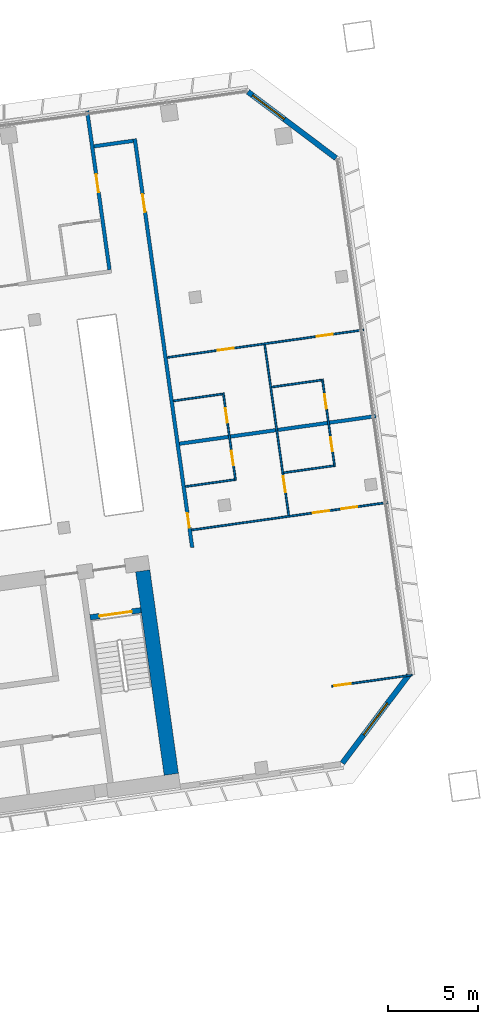
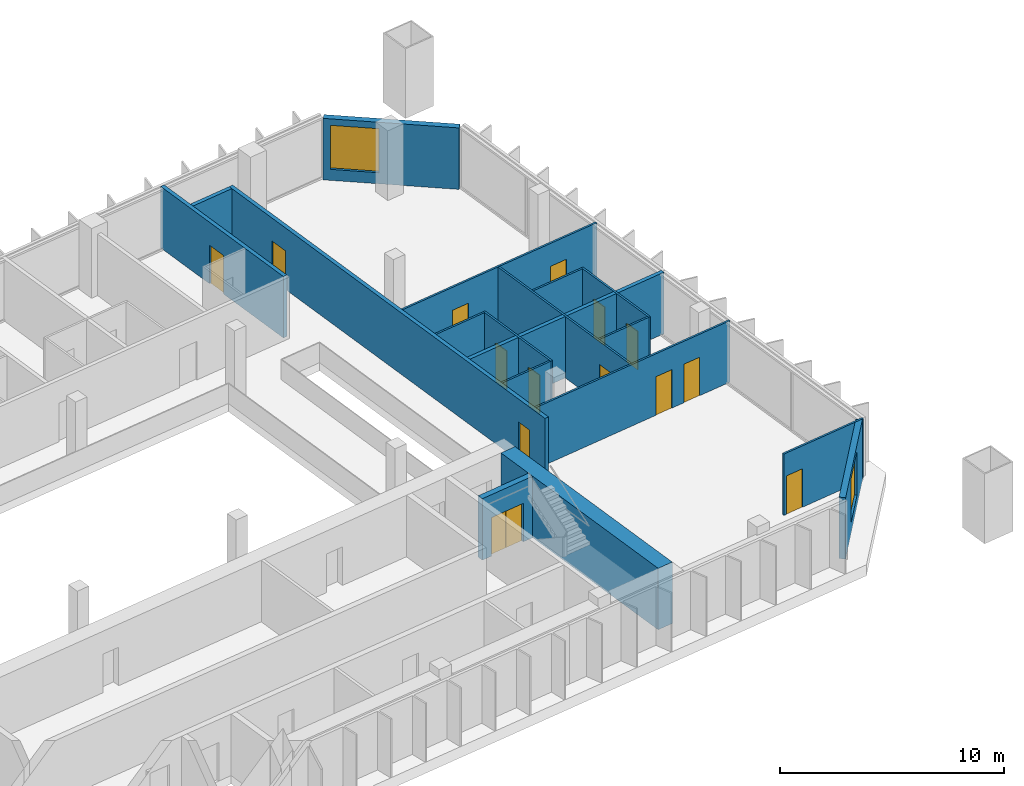
# One storey, part 22 of 26: 18 walls, 14 doors, 2 windows, 16 openings.
"""IFC4 building model written with IfcOpenShell, lengths in metres."""

from ifc_helpers import new_model, si_unit, direction, frame, frame_2d, origin, place, context, subcontext, project, spatial, rectangle, extrude, material, layer, layer_set, type_object, element, fill, save


model = new_model("IFC4")

# Units and contexts
model_context = context("Model", 3, precision=1e-05, world=origin(), true_north=direction((0.0, 1.0)))
body_context = subcontext(model_context, "Body", "Model", "MODEL_VIEW")
ifc_project = project(units=[si_unit("LENGTHUNIT", "METRE"), si_unit("AREAUNIT", "SQUARE_METRE"), si_unit("VOLUMEUNIT", "CUBIC_METRE"), si_unit("PLANEANGLEUNIT", "RADIAN"), si_unit("MASSUNIT", "GRAM", prefix="KILO")], contexts=[model_context])

# Site, building, storey
site_placement = place(None, origin())
site = spatial("IfcSite", under=ifc_project, at=site_placement, CompositionType="ELEMENT")
building_placement = place(site_placement, origin())
building = spatial("IfcBuilding", under=site, at=building_placement, Name="Mirante Cascada Hotel Towers", CompositionType="ELEMENT")
storey_placement = place(building_placement, frame((0.0, 0.0, 106.3)))
storey = spatial("IfcBuildingStorey", under=building, at=storey_placement, Name="L23", CompositionType="ELEMENT", Elevation=106.3)

# Walls
ifc_material_1 = material(Name="Fire-rated plasterboard on metal studs")
ifc_layer_1 = layer(ifc_material_1, 0.2)
ifc_layer_set_1 = layer_set([ifc_layer_1], Name="Compartment wall 200 EI 120")
wall_type_1 = type_object("IfcWallType", Name="Compartment wall 200 EI 120", PredefinedType="PARTITIONING", material=ifc_layer_set_1)
wall_1_placement = place(storey_placement, frame((101.2993, 8.0205, 0.0), z_axis=(0.0, 0.0, 1.0), x_axis=(-0.990268, -0.1391733, 0.0)))
element("IfcWall", 1, at=wall_1_placement, inside=storey, type_object=wall_type_1, Name="Wall 2-L23-11", PredefinedType="PARTITIONING", context=body_context, shape_type="SweptSolid", body=[
    extrude(rectangle(XDim=11.0, YDim=0.2, at=frame_2d((5.5, 0.0))), origin(), (0.0, 0.0, 1.0), 3.35),
])
wall_2_placement = place(storey_placement, frame((87.8424, 23.2963, 0.0), z_axis=(0.0, 0.0, 1.0), x_axis=(-0.990267, -0.139181, 0.0)))
element("IfcWall", 2, at=wall_2_placement, inside=storey, type_object=wall_type_1, Name="Wall 2-L23-29", PredefinedType="PARTITIONING", context=body_context, shape_type="SweptSolid", body=[
    extrude(rectangle(XDim=2.2, YDim=0.2, at=frame_2d((1.1, 0.0))), origin(), (0.0, 0.0, 1.0), 3.35),
])

# Wall, opening, door
wall_3_placement = place(storey_placement, frame((85.2864, 24.9567, 0.0), z_axis=(0.0, 0.0, 1.0), x_axis=(0.1391684, -0.9902687, 0.0)))
wall_3 = element("IfcWall", 3, at=wall_3_placement, inside=storey, type_object=wall_type_1, Name="Wall 2-L23-59", PredefinedType="PARTITIONING", context=body_context, shape_type="SweptSolid", body=[
    extrude(rectangle(XDim=8.9, YDim=0.2, at=frame_2d((4.45, 0.0))), origin(), (0.0, 0.0, 1.0), 3.35),
])
opening_1_placement = place(wall_3_placement, frame((3.55, 0.0, 0.0)))
opening_1 = element("IfcOpeningElement", 4, at=opening_1_placement, cuts=wall_3, Name="Opening D2-L23-36", PredefinedType="OPENING", context=body_context, shape_type="SweptSolid", body=[
    extrude(rectangle(XDim=1.0, YDim=2.1, at=frame_2d((0.5, 1.05))), frame((0.0, 0.1, 0.0), z_axis=(0.0, -1.0, 0.0), x_axis=(1.0, 0.0, 0.0)), (0.0, 0.0, 1.0), 0.2),
])
ifc_material_2 = material(Name="Fire-rated timber door leaf", Category="wood")
door_type_1 = type_object("IfcDoorType", Name="Entrance door DG1 1000x2100 EI 60", OperationType="SINGLE_SWING_LEFT", PredefinedType="DOOR", material=ifc_material_2)
door_1_placement = place(opening_1_placement, frame((1.0, 0.0, 0.0), z_axis=(0.0, 0.0, 1.0), x_axis=(-1.0, 0.0, 0.0)))
door_1 = element("IfcDoor", 5, at=door_1_placement, inside=storey, type_object=door_type_1, Name="Door D2-L23-36", OperationType="SINGLE_SWING_RIGHT", OverallHeight=2.1, OverallWidth=1.0, PredefinedType="DOOR", context=body_context, shape_type="SweptSolid", body=[
    extrude(rectangle(XDim=1.0, YDim=2.1, at=frame_2d((0.5, 1.05))), frame((0.0, 0.025, 0.0), z_axis=(0.0, -1.0, 0.0), x_axis=(1.0, 0.0, 0.0)), (0.0, 0.0, 1.0), 0.05),
])
fill(opening_1, door_1)

# Wall, openings, doors
wall_4_placement = place(storey_placement, frame((91.1145, 0.7321, 0.0), z_axis=(0.0, 0.0, 1.0), x_axis=(-0.1391706, 0.9902684, 0.0)))
wall_4 = element("IfcWall", 6, at=wall_4_placement, inside=storey, type_object=wall_type_1, Name="Wall 2-L23-60", PredefinedType="PARTITIONING", context=body_context, shape_type="SweptSolid", body=[
    extrude(rectangle(XDim=22.9, YDim=0.2, at=frame_2d((11.45, 0.0))), origin(), (0.0, 0.0, 1.0), 3.35),
])
opening_2_placement = place(wall_4_placement, frame((1.1167, 0.0, 0.0)))
opening_2 = element("IfcOpeningElement", 7, at=opening_2_placement, cuts=wall_4, Name="Opening D2-L23-37", PredefinedType="OPENING", context=body_context, shape_type="SweptSolid", body=[
    extrude(rectangle(XDim=0.8, YDim=2.1, at=frame_2d((0.4, 1.05))), frame((0.0, 0.1, 0.0), z_axis=(0.0, -1.0, 0.0), x_axis=(1.0, 0.0, 0.0)), (0.0, 0.0, 1.0), 0.2),
])
opening_3_placement = place(wall_4_placement, frame((18.8, 0.0, 0.0)))
opening_3 = element("IfcOpeningElement", 8, at=opening_3_placement, cuts=wall_4, Name="Opening D2-L23-38", PredefinedType="OPENING", context=body_context, shape_type="SweptSolid", body=[
    extrude(rectangle(XDim=1.0, YDim=2.1, at=frame_2d((0.5, 1.05))), frame((0.0, 0.1, 0.0), z_axis=(0.0, -1.0, 0.0), x_axis=(1.0, 0.0, 0.0)), (0.0, 0.0, 1.0), 0.2),
])
ifc_material_3 = material(Name="Fire-rated timber door leaf", Category="wood")
door_type_2 = type_object("IfcDoorType", Name="Bathroom door DG4 800x2100 EI 60", OperationType="SINGLE_SWING_LEFT", PredefinedType="DOOR", material=ifc_material_3)
door_2_placement = place(opening_2_placement, frame((0.8, 0.0, 0.0), z_axis=(0.0, 0.0, 1.0), x_axis=(-1.0, 0.0, 0.0)))
door_2 = element("IfcDoor", 9, at=door_2_placement, inside=storey, type_object=door_type_2, Name="Door D2-L23-37", OperationType="SINGLE_SWING_RIGHT", OverallHeight=2.1, OverallWidth=0.8, PredefinedType="DOOR", context=body_context, shape_type="SweptSolid", body=[
    extrude(rectangle(XDim=0.8, YDim=2.1, at=frame_2d((0.4, 1.05))), frame((0.0, 0.025, 0.0), z_axis=(0.0, -1.0, 0.0), x_axis=(1.0, 0.0, 0.0)), (0.0, 0.0, 1.0), 0.05),
])
fill(opening_2, door_2)
door_3_placement = place(opening_3_placement, frame((1.0, 0.0, 0.0), z_axis=(0.0, 0.0, 1.0), x_axis=(-1.0, 0.0, 0.0)))
door_3 = element("IfcDoor", 10, at=door_3_placement, inside=storey, type_object=door_type_1, Name="Door D2-L23-38", OperationType="SINGLE_SWING_RIGHT", OverallHeight=2.1, OverallWidth=1.0, PredefinedType="DOOR", context=body_context, shape_type="SweptSolid", body=[
    extrude(rectangle(XDim=1.0, YDim=2.1, at=frame_2d((0.5, 1.05))), frame((0.0, 0.025, 0.0), z_axis=(0.0, -1.0, 0.0), x_axis=(1.0, 0.0, 0.0)), (0.0, 0.0, 1.0), 0.05),
])
fill(opening_3, door_3)

# Wall, opening, door
ifc_material_4 = material(Name="Plasterboard on metal studs")
ifc_layer_2 = layer(ifc_material_4, 0.1)
ifc_layer_set_2 = layer_set([ifc_layer_2], Name="Partition 100")
wall_type_2 = type_object("IfcWallType", Name="Partition 100", PredefinedType="PARTITIONING", material=ifc_layer_set_2)
wall_5_placement = place(storey_placement, frame((103.3173, -6.3384, 0.0), z_axis=(0.0, 0.0, 1.0), x_axis=(-0.9902674, -0.1391779, 0.0)))
wall_5 = element("IfcWall", 11, at=wall_5_placement, inside=storey, type_object=wall_type_2, Name="Wall 2-L23-01", PredefinedType="PARTITIONING", context=body_context, shape_type="SweptSolid", body=[
    extrude(rectangle(XDim=4.5, YDim=0.1, at=frame_2d((2.25, 0.0))), origin(), (0.0, 0.0, 1.0), 3.35),
])
opening_4_placement = place(wall_5_placement, frame((3.45, 0.0, 0.0)))
opening_4 = element("IfcOpeningElement", 12, at=opening_4_placement, cuts=wall_5, Name="Opening D2-L23-01", PredefinedType="OPENING", context=body_context, shape_type="SweptSolid", body=[
    extrude(rectangle(XDim=0.9, YDim=2.1, at=frame_2d((0.45, 1.05))), frame((0.0, 0.05, 0.0), z_axis=(0.0, -1.0, 0.0), x_axis=(1.0, 0.0, 0.0)), (0.0, 0.0, 1.0), 0.1),
])
ifc_material_5 = material(Name="Timber door leaf", Category="wood")
door_type_3 = type_object("IfcDoorType", Name="Room door DG3 900x2100", OperationType="SINGLE_SWING_LEFT", PredefinedType="DOOR", material=ifc_material_5)
door_4_placement = place(opening_4_placement, frame((0.9, 0.0, 0.0), z_axis=(0.0, 0.0, 1.0), x_axis=(-1.0, 0.0, 0.0)))
door_4 = element("IfcDoor", 13, at=door_4_placement, inside=storey, type_object=door_type_3, Name="Door D2-L23-01", OperationType="SINGLE_SWING_RIGHT", OverallHeight=2.1, OverallWidth=0.9, PredefinedType="DOOR", context=body_context, shape_type="SweptSolid", body=[
    extrude(rectangle(XDim=0.9, YDim=2.1, at=frame_2d((0.45, 1.05))), frame((0.0, 0.025, 0.0), z_axis=(0.0, -1.0, 0.0), x_axis=(1.0, 0.0, 0.0)), (0.0, 0.0, 1.0), 0.05),
])
fill(opening_4, door_4)

# Wall, openings, doors
wall_6_placement = place(storey_placement, frame((101.972, 3.2342, 0.0), z_axis=(0.0, 0.0, 1.0), x_axis=(-0.9902682, -0.1391721, 0.0)))
wall_6 = element("IfcWall", 14, at=wall_6_placement, inside=storey, type_object=wall_type_2, Name="Wall 2-L23-05", PredefinedType="PARTITIONING", context=body_context, shape_type="SweptSolid", body=[
    extrude(rectangle(XDim=11.0001, YDim=0.1, at=frame_2d((5.5, 0.0))), origin(), (0.0, 0.0, 1.0), 3.35),
])
opening_5_placement = place(wall_6_placement, frame((3.3, 0.0, 0.0)))
opening_5 = element("IfcOpeningElement", 15, at=opening_5_placement, cuts=wall_6, Name="Opening D2-L23-03", PredefinedType="OPENING", context=body_context, shape_type="SweptSolid", body=[
    extrude(rectangle(XDim=0.9, YDim=2.1, at=frame_2d((0.45, 1.05))), frame((0.0, 0.05, 0.0), z_axis=(0.0, -1.0, 0.0), x_axis=(1.0, 0.0, 0.0)), (0.0, 0.0, 1.0), 0.1),
])
opening_6_placement = place(wall_6_placement, frame((1.725, 0.0, 0.0)))
opening_6 = element("IfcOpeningElement", 16, at=opening_6_placement, cuts=wall_6, Name="Opening D2-L23-04", PredefinedType="OPENING", context=body_context, shape_type="SweptSolid", body=[
    extrude(rectangle(XDim=0.9, YDim=2.1, at=frame_2d((0.45, 1.05))), frame((0.0, 0.05, 0.0), z_axis=(0.0, -1.0, 0.0), x_axis=(1.0, 0.0, 0.0)), (0.0, 0.0, 1.0), 0.1),
])
door_5_placement = place(opening_5_placement, origin())
door_5 = element("IfcDoor", 17, at=door_5_placement, inside=storey, type_object=door_type_3, Name="Door D2-L23-03", OperationType="SINGLE_SWING_LEFT", OverallHeight=2.1, OverallWidth=0.9, PredefinedType="DOOR", context=body_context, shape_type="SweptSolid", body=[
    extrude(rectangle(XDim=0.9, YDim=2.1, at=frame_2d((0.45, 1.05))), frame((0.0, 0.025, 0.0), z_axis=(0.0, -1.0, 0.0), x_axis=(1.0, 0.0, 0.0)), (0.0, 0.0, 1.0), 0.05),
])
fill(opening_5, door_5)
door_6_placement = place(opening_6_placement, origin())
door_6 = element("IfcDoor", 18, at=door_6_placement, inside=storey, type_object=door_type_3, Name="Door D2-L23-04", OperationType="SINGLE_SWING_LEFT", OverallHeight=2.1, OverallWidth=0.9, PredefinedType="DOOR", context=body_context, shape_type="SweptSolid", body=[
    extrude(rectangle(XDim=0.9, YDim=2.1, at=frame_2d((0.45, 1.05))), frame((0.0, 0.025, 0.0), z_axis=(0.0, -1.0, 0.0), x_axis=(1.0, 0.0, 0.0)), (0.0, 0.0, 1.0), 0.05),
])
fill(opening_6, door_6)

# Walls
wall_7_placement = place(storey_placement, frame((90.7404, 4.1129, 0.0), z_axis=(0.0, 0.0, 1.0), x_axis=(0.9902691, 0.1391657, 0.0)))
element("IfcWall", 19, at=wall_7_placement, inside=storey, type_object=wall_type_2, Name="Wall 2-L23-06", PredefinedType="PARTITIONING", context=body_context, shape_type="SweptSolid", body=[
    extrude(rectangle(XDim=2.75, YDim=0.1, at=frame_2d((1.375, 0.0))), origin(), (0.0, 0.0, 1.0), 3.35),
])
wall_8_placement = place(storey_placement, frame((98.9596, 5.2681, 0.0), z_axis=(0.0, 0.0, 1.0), x_axis=(-0.9902677, -0.139176, 0.0)))
element("IfcWall", 20, at=wall_8_placement, inside=storey, type_object=wall_type_2, Name="Wall 2-L23-07", PredefinedType="PARTITIONING", context=body_context, shape_type="SweptSolid", body=[
    extrude(rectangle(XDim=2.8001, YDim=0.1, at=frame_2d((1.4, 0.0))), origin(), (0.0, 0.0, 1.0), 3.35),
])
wall_9_placement = place(storey_placement, frame((90.0723, 8.8662, 0.0), z_axis=(0.0, 0.0, 1.0), x_axis=(0.9902698, 0.1391607, 0.0)))
element("IfcWall", 21, at=wall_9_placement, inside=storey, type_object=wall_type_2, Name="Wall 2-L23-14", PredefinedType="PARTITIONING", context=body_context, shape_type="SweptSolid", body=[
    extrude(rectangle(XDim=2.7501, YDim=0.1, at=frame_2d((1.3751, 0.0))), origin(), (0.0, 0.0, 1.0), 3.35),
])
wall_10_placement = place(storey_placement, frame((98.2916, 10.0213, 0.0), z_axis=(0.0, 0.0, 1.0), x_axis=(-0.9902726, -0.139141, 0.0)))
element("IfcWall", 22, at=wall_10_placement, inside=storey, type_object=wall_type_2, Name="Wall 2-L23-15", PredefinedType="PARTITIONING", context=body_context, shape_type="SweptSolid", body=[
    extrude(rectangle(XDim=2.8, YDim=0.1, at=frame_2d((1.4, 0.0))), origin(), (0.0, 0.0, 1.0), 3.35),
])

# Wall, openings, doors
wall_11_placement = place(storey_placement, frame((100.6266, 12.8067, 0.0), z_axis=(0.0, 0.0, 1.0), x_axis=(-0.990268, -0.1391733, 0.0)))
wall_11 = element("IfcWall", 23, at=wall_11_placement, inside=storey, type_object=wall_type_2, Name="Wall 2-L23-17", PredefinedType="PARTITIONING", context=body_context, shape_type="SweptSolid", body=[
    extrude(rectangle(XDim=11.0, YDim=0.1, at=frame_2d((5.5, 0.0))), origin(), (0.0, 0.0, 1.0), 3.35),
])
opening_7_placement = place(wall_11_placement, frame((7.275, 0.0, 0.0)))
opening_7 = element("IfcOpeningElement", 24, at=opening_7_placement, cuts=wall_11, Name="Opening D2-L23-07", PredefinedType="OPENING", context=body_context, shape_type="SweptSolid", body=[
    extrude(rectangle(XDim=0.9, YDim=2.1, at=frame_2d((0.45, 1.05))), frame((0.0, 0.05, 0.0), z_axis=(0.0, -1.0, 0.0), x_axis=(1.0, 0.0, 0.0)), (0.0, 0.0, 1.0), 0.1),
])
opening_8_placement = place(wall_11_placement, frame((1.725, 0.0, 0.0)))
opening_8 = element("IfcOpeningElement", 25, at=opening_8_placement, cuts=wall_11, Name="Opening D2-L23-08", PredefinedType="OPENING", context=body_context, shape_type="SweptSolid", body=[
    extrude(rectangle(XDim=0.9, YDim=2.1, at=frame_2d((0.45, 1.05))), frame((0.0, 0.05, 0.0), z_axis=(0.0, -1.0, 0.0), x_axis=(1.0, 0.0, 0.0)), (0.0, 0.0, 1.0), 0.1),
])
door_7_placement = place(opening_7_placement, frame((0.9, 0.0, 0.0), z_axis=(0.0, 0.0, 1.0), x_axis=(-1.0, 0.0, 0.0)))
door_7 = element("IfcDoor", 26, at=door_7_placement, inside=storey, type_object=door_type_3, Name="Door D2-L23-07", OperationType="SINGLE_SWING_RIGHT", OverallHeight=2.1, OverallWidth=0.9, PredefinedType="DOOR", context=body_context, shape_type="SweptSolid", body=[
    extrude(rectangle(XDim=0.9, YDim=2.1, at=frame_2d((0.45, 1.05))), frame((0.0, 0.025, 0.0), z_axis=(0.0, -1.0, 0.0), x_axis=(1.0, 0.0, 0.0)), (0.0, 0.0, 1.0), 0.05),
])
fill(opening_7, door_7)
door_8_placement = place(opening_8_placement, frame((0.9, 0.0, 0.0), z_axis=(0.0, 0.0, 1.0), x_axis=(-1.0, 0.0, 0.0)))
door_8 = element("IfcDoor", 27, at=door_8_placement, inside=storey, type_object=door_type_3, Name="Door D2-L23-08", OperationType="SINGLE_SWING_RIGHT", OverallHeight=2.1, OverallWidth=0.9, PredefinedType="DOOR", context=body_context, shape_type="SweptSolid", body=[
    extrude(rectangle(XDim=0.9, YDim=2.1, at=frame_2d((0.45, 1.05))), frame((0.0, 0.025, 0.0), z_axis=(0.0, -1.0, 0.0), x_axis=(1.0, 0.0, 0.0)), (0.0, 0.0, 1.0), 0.05),
])
fill(opening_8, door_8)

wall_12_placement = place(storey_placement, frame((92.8381, 9.3054, 0.0), z_axis=(0.0, 0.0, 1.0), x_axis=(0.1391838, -0.9902666, 0.0)))
wall_12 = element("IfcWall", 28, at=wall_12_placement, inside=storey, type_object=wall_type_2, Name="Wall 2-L23-61", PredefinedType="PARTITIONING", context=body_context, shape_type="SweptSolid", body=[
    extrude(rectangle(XDim=4.9, YDim=0.1, at=frame_2d((2.45, 0.0))), origin(), (0.0, 0.0, 1.0), 3.35),
])
opening_9_placement = place(wall_12_placement, frame((3.25, 0.0, 0.0)))
opening_9 = element("IfcOpeningElement", 29, at=opening_9_placement, cuts=wall_12, Name="Opening D2-L23-39", PredefinedType="OPENING", context=body_context, shape_type="SweptSolid", body=[
    extrude(rectangle(XDim=0.8, YDim=2.1, at=frame_2d((0.4, 1.05))), frame((0.0, 0.05, 0.0), z_axis=(0.0, -1.0, 0.0), x_axis=(1.0, 0.0, 0.0)), (0.0, 0.0, 1.0), 0.1),
])
opening_10_placement = place(wall_12_placement, frame((0.85, 0.0, 0.0)))
opening_10 = element("IfcOpeningElement", 30, at=opening_10_placement, cuts=wall_12, Name="Opening D2-L23-40", PredefinedType="OPENING", context=body_context, shape_type="SweptSolid", body=[
    extrude(rectangle(XDim=0.8, YDim=2.1, at=frame_2d((0.4, 1.05))), frame((0.0, 0.05, 0.0), z_axis=(0.0, -1.0, 0.0), x_axis=(1.0, 0.0, 0.0)), (0.0, 0.0, 1.0), 0.1),
])
ifc_material_6 = material(Name="Timber door leaf", Category="wood")
door_type_4 = type_object("IfcDoorType", Name="Bathroom door DG4 800x2100", OperationType="SINGLE_SWING_LEFT", PredefinedType="DOOR", material=ifc_material_6)
door_9_placement = place(opening_9_placement, frame((0.8, 0.0, 0.0), z_axis=(0.0, 0.0, 1.0), x_axis=(-1.0, 0.0, 0.0)))
door_9 = element("IfcDoor", 31, at=door_9_placement, inside=storey, type_object=door_type_4, Name="Door D2-L23-39", OperationType="SINGLE_SWING_RIGHT", OverallHeight=2.1, OverallWidth=0.8, PredefinedType="DOOR", context=body_context, shape_type="SweptSolid", body=[
    extrude(rectangle(XDim=0.8, YDim=2.1, at=frame_2d((0.4, 1.05))), frame((0.0, 0.025, 0.0), z_axis=(0.0, -1.0, 0.0), x_axis=(1.0, 0.0, 0.0)), (0.0, 0.0, 1.0), 0.05),
])
fill(opening_9, door_9)
door_10_placement = place(opening_10_placement, frame((0.8, 0.0, 0.0), z_axis=(0.0, 0.0, 1.0), x_axis=(-1.0, 0.0, 0.0)))
door_10 = element("IfcDoor", 32, at=door_10_placement, inside=storey, type_object=door_type_4, Name="Door D2-L23-40", OperationType="SINGLE_SWING_RIGHT", OverallHeight=2.1, OverallWidth=0.8, PredefinedType="DOOR", context=body_context, shape_type="SweptSolid", body=[
    extrude(rectangle(XDim=0.8, YDim=2.1, at=frame_2d((0.4, 1.05))), frame((0.0, 0.025, 0.0), z_axis=(0.0, -1.0, 0.0), x_axis=(1.0, 0.0, 0.0)), (0.0, 0.0, 1.0), 0.05),
])
fill(opening_10, door_10)

# Wall, opening, door
wall_13_placement = place(storey_placement, frame((96.469, 2.5113, 0.0), z_axis=(0.0, 0.0, 1.0), x_axis=(-0.1391717, 0.9902683, 0.0)))
wall_13 = element("IfcWall", 33, at=wall_13_placement, inside=storey, type_object=wall_type_2, Name="Wall 2-L23-62", PredefinedType="PARTITIONING", context=body_context, shape_type="SweptSolid", body=[
    extrude(rectangle(XDim=9.5666, YDim=0.1, at=frame_2d((4.7833, 0.0))), origin(), (0.0, 0.0, 1.0), 3.35),
])
opening_11_placement = place(wall_13_placement, frame((1.3, 0.0, 0.0)))
opening_11 = element("IfcOpeningElement", 34, at=opening_11_placement, cuts=wall_13, Name="Opening D2-L23-41", PredefinedType="OPENING", context=body_context, shape_type="SweptSolid", body=[
    extrude(rectangle(XDim=0.9, YDim=2.1, at=frame_2d((0.45, 1.05))), frame((0.0, 0.05, 0.0), z_axis=(0.0, -1.0, 0.0), x_axis=(1.0, 0.0, 0.0)), (0.0, 0.0, 1.0), 0.1),
])
door_11_placement = place(opening_11_placement, origin())
door_11 = element("IfcDoor", 35, at=door_11_placement, inside=storey, type_object=door_type_3, Name="Door D2-L23-41", OperationType="SINGLE_SWING_LEFT", OverallHeight=2.1, OverallWidth=0.9, PredefinedType="DOOR", context=body_context, shape_type="SweptSolid", body=[
    extrude(rectangle(XDim=0.9, YDim=2.1, at=frame_2d((0.45, 1.05))), frame((0.0, 0.025, 0.0), z_axis=(0.0, -1.0, 0.0), x_axis=(1.0, 0.0, 0.0)), (0.0, 0.0, 1.0), 0.05),
])
fill(opening_11, door_11)

# Wall, openings, doors
wall_14_placement = place(storey_placement, frame((98.3341, 10.0778, 0.0), z_axis=(0.0, 0.0, 1.0), x_axis=(0.1391838, -0.9902666, 0.0)))
wall_14 = element("IfcWall", 36, at=wall_14_placement, inside=storey, type_object=wall_type_2, Name="Wall 2-L23-63", PredefinedType="PARTITIONING", context=body_context, shape_type="SweptSolid", body=[
    extrude(rectangle(XDim=4.9, YDim=0.1, at=frame_2d((2.45, 0.0))), origin(), (0.0, 0.0, 1.0), 3.35),
])
opening_12_placement = place(wall_14_placement, frame((3.25, 0.0, 0.0)))
opening_12 = element("IfcOpeningElement", 37, at=opening_12_placement, cuts=wall_14, Name="Opening D2-L23-42", PredefinedType="OPENING", context=body_context, shape_type="SweptSolid", body=[
    extrude(rectangle(XDim=0.8, YDim=2.1, at=frame_2d((0.4, 1.05))), frame((0.0, 0.05, 0.0), z_axis=(0.0, -1.0, 0.0), x_axis=(1.0, 0.0, 0.0)), (0.0, 0.0, 1.0), 0.1),
])
opening_13_placement = place(wall_14_placement, frame((0.85, 0.0, 0.0)))
opening_13 = element("IfcOpeningElement", 38, at=opening_13_placement, cuts=wall_14, Name="Opening D2-L23-43", PredefinedType="OPENING", context=body_context, shape_type="SweptSolid", body=[
    extrude(rectangle(XDim=0.8, YDim=2.1, at=frame_2d((0.4, 1.05))), frame((0.0, 0.05, 0.0), z_axis=(0.0, -1.0, 0.0), x_axis=(1.0, 0.0, 0.0)), (0.0, 0.0, 1.0), 0.1),
])
door_12_placement = place(opening_12_placement, frame((0.8, 0.0, 0.0), z_axis=(0.0, 0.0, 1.0), x_axis=(-1.0, 0.0, 0.0)))
door_12 = element("IfcDoor", 39, at=door_12_placement, inside=storey, type_object=door_type_4, Name="Door D2-L23-42", OperationType="SINGLE_SWING_RIGHT", OverallHeight=2.1, OverallWidth=0.8, PredefinedType="DOOR", context=body_context, shape_type="SweptSolid", body=[
    extrude(rectangle(XDim=0.8, YDim=2.1, at=frame_2d((0.4, 1.05))), frame((0.0, 0.025, 0.0), z_axis=(0.0, -1.0, 0.0), x_axis=(1.0, 0.0, 0.0)), (0.0, 0.0, 1.0), 0.05),
])
fill(opening_12, door_12)
door_13_placement = place(opening_13_placement, frame((0.8, 0.0, 0.0), z_axis=(0.0, 0.0, 1.0), x_axis=(-1.0, 0.0, 0.0)))
door_13 = element("IfcDoor", 40, at=door_13_placement, inside=storey, type_object=door_type_4, Name="Door D2-L23-43", OperationType="SINGLE_SWING_RIGHT", OverallHeight=2.1, OverallWidth=0.8, PredefinedType="DOOR", context=body_context, shape_type="SweptSolid", body=[
    extrude(rectangle(XDim=0.8, YDim=2.1, at=frame_2d((0.4, 1.05))), frame((0.0, 0.025, 0.0), z_axis=(0.0, -1.0, 0.0), x_axis=(1.0, 0.0, 0.0)), (0.0, 0.0, 1.0), 0.05),
])
fill(opening_13, door_13)

# Wall, opening, window
ifc_material_7 = material(Name="Precast concrete C40/50", Category="concrete")
ifc_layer_3 = layer(ifc_material_7, 0.3)
ifc_layer_set_3 = layer_set([ifc_layer_3], Name="Precast concrete C40/50 cladding wall 300")
wall_type_3 = type_object("IfcWallType", Name="Precast concrete C40/50 cladding wall 300", PredefinedType="STANDARD", material=ifc_layer_set_3)
wall_15_placement = place(storey_placement, frame((99.4423, -11.2315, 0.0), z_axis=(0.0, 0.0, 1.0), x_axis=(0.6018141, 0.7986362, 0.0)))
wall_15 = element("IfcWall", 41, at=wall_15_placement, inside=storey, type_object=wall_type_3, Name="Corner cladding wall T2 L23 rear outer", PredefinedType="STANDARD", context=body_context, shape_type="SweptSolid", body=[
    extrude(rectangle(XDim=6.1157, YDim=0.3, at=frame_2d((3.0578, 0.0))), origin(), (0.0, 0.0, 1.0), 3.35),
])
opening_14_placement = place(wall_15_placement, frame((1.9578, 0.0, 0.6)))
opening_14 = element("IfcOpeningElement", 42, at=opening_14_placement, cuts=wall_15, Name="Opening W2-23-03", PredefinedType="OPENING", context=body_context, shape_type="SweptSolid", body=[
    extrude(rectangle(XDim=2.2, YDim=2.4, at=frame_2d((1.1, 1.2))), frame((0.0, 0.15, 0.0), z_axis=(0.0, -1.0, 0.0), x_axis=(1.0, 0.0, 0.0)), (0.0, 0.0, 1.0), 0.3),
])
ifc_material_8 = material(Name="Aluminium frame with clear double glazing", Category="aluminium")
window_type = type_object("IfcWindowType", Name="Corner suite window 2200x2400", PartitioningType="DOUBLE_PANEL_VERTICAL", PredefinedType="WINDOW", material=ifc_material_8)
window_1_placement = place(opening_14_placement, origin())
window_1 = element("IfcWindow", 43, at=window_1_placement, inside=storey, type_object=window_type, Name="Window W2-23-03", OverallHeight=2.4, OverallWidth=2.2, PartitioningType="SINGLE_PANEL", PredefinedType="WINDOW", context=body_context, shape_type="SweptSolid", body=[
    extrude(rectangle(XDim=2.2, YDim=2.4, at=frame_2d((1.1, 1.2))), frame((0.0, 0.03, 0.0), z_axis=(0.0, -1.0, 0.0), x_axis=(1.0, 0.0, 0.0)), (0.0, 0.0, 1.0), 0.06),
])
fill(opening_14, window_1)

wall_16_placement = place(storey_placement, frame((99.0919, 22.3343, 0.0), z_axis=(0.0, 0.0, 1.0), x_axis=(-0.7986362, 0.6018141, 0.0)))
wall_16 = element("IfcWall", 44, at=wall_16_placement, inside=storey, type_object=wall_type_3, Name="Corner cladding wall T2 L23 outer front", PredefinedType="STANDARD", context=body_context, shape_type="SweptSolid", body=[
    extrude(rectangle(XDim=6.1157, YDim=0.3, at=frame_2d((3.0578, 0.0))), origin(), (0.0, 0.0, 1.0), 3.35),
])
opening_15_placement = place(wall_16_placement, frame((3.595, 0.0, 0.6)))
opening_15 = element("IfcOpeningElement", 45, at=opening_15_placement, cuts=wall_16, Name="Opening W2-23-04", PredefinedType="OPENING", context=body_context, shape_type="SweptSolid", body=[
    extrude(rectangle(XDim=2.2, YDim=2.4, at=frame_2d((1.1, 1.2))), frame((0.0, 0.15, 0.0), z_axis=(0.0, -1.0, 0.0), x_axis=(1.0, 0.0, 0.0)), (0.0, 0.0, 1.0), 0.3),
])
window_2_placement = place(opening_15_placement, origin())
window_2 = element("IfcWindow", 46, at=window_2_placement, inside=storey, type_object=window_type, Name="Window W2-23-04", OverallHeight=2.4, OverallWidth=2.2, PartitioningType="SINGLE_PANEL", PredefinedType="WINDOW", context=body_context, shape_type="SweptSolid", body=[
    extrude(rectangle(XDim=2.2, YDim=2.4, at=frame_2d((1.1, 1.2))), frame((0.0, 0.03, 0.0), z_axis=(0.0, -1.0, 0.0), x_axis=(1.0, 0.0, 0.0)), (0.0, 0.0, 1.0), 0.06),
])
fill(opening_15, window_2)

# Wall, opening, door
ifc_material_9 = material(Name="Concrete C50/60", Category="concrete")
ifc_layer_4 = layer(ifc_material_9, 0.3)
ifc_layer_set_4 = layer_set([ifc_layer_4], Name="RC core wall 300 C50/60")
wall_type_4 = type_object("IfcWallType", Name="RC core wall 300 C50/60", PredefinedType="SHEAR", material=ifc_layer_set_4)
wall_17_placement = place(storey_placement, frame((85.4489, -3.1441, 0.0), z_axis=(0.0, 0.0, 1.0), x_axis=(0.9902697, 0.1391613, 0.0)))
wall_17 = element("IfcWall", 47, at=wall_17_placement, inside=storey, type_object=wall_type_4, Name="Core wall T2:L23:11", PredefinedType="SHEAR", context=body_context, shape_type="SweptSolid", body=[
    extrude(rectangle(XDim=2.8499, YDim=0.3, at=frame_2d((1.425, 0.0))), origin(), (0.0, 0.0, 1.0), 3.35),
])
opening_16_placement = place(wall_17_placement, frame((0.525, 0.0, 0.0)))
opening_16 = element("IfcOpeningElement", 48, at=opening_16_placement, cuts=wall_17, Name="Opening D2-23-C17", PredefinedType="OPENING", context=body_context, shape_type="SweptSolid", body=[
    extrude(rectangle(XDim=1.8, YDim=2.1, at=frame_2d((0.9, 1.05))), frame((0.0, 0.15, 0.0), z_axis=(0.0, -1.0, 0.0), x_axis=(1.0, 0.0, 0.0)), (0.0, 0.0, 1.0), 0.3),
])
ifc_material_10 = material(Name="Hollow metal fire door leaf")
door_type_5 = type_object("IfcDoorType", Name="Double fire door 1800x2100 FD60", OperationType="DOUBLE_DOOR_SINGLE_SWING", PredefinedType="DOOR", material=ifc_material_10)
door_14_placement = place(opening_16_placement, frame((1.8, 0.0, 0.0), z_axis=(0.0, 0.0, 1.0), x_axis=(-1.0, 0.0, 0.0)))
door_14 = element("IfcDoor", 49, at=door_14_placement, inside=storey, type_object=door_type_5, Name="Stair door T2 L23 17", OperationType="DOUBLE_DOOR_SINGLE_SWING", OverallHeight=2.1, OverallWidth=1.8, PredefinedType="DOOR", context=body_context, shape_type="SweptSolid", body=[
    extrude(rectangle(XDim=0.895, YDim=2.1, at=frame_2d((0.4475, 1.05))), frame((0.0, 0.025, 0.0), z_axis=(0.0, -1.0, 0.0), x_axis=(1.0, 0.0, 0.0)), (0.0, 0.0, 1.0), 0.05),
    extrude(rectangle(XDim=0.895, YDim=2.1, at=frame_2d((1.3525, 1.05))), frame((0.0, 0.025, 0.0), z_axis=(0.0, -1.0, 0.0), x_axis=(1.0, 0.0, 0.0)), (0.0, 0.0, 1.0), 0.05),
])
fill(opening_16, door_14)

# Wall
ifc_material_11 = material(Name="Concrete C50/60", Category="concrete")
ifc_layer_5 = layer(ifc_material_11, 0.8)
ifc_layer_set_5 = layer_set([ifc_layer_5], Name="RC core wall 800 C50/60")
wall_type_5 = type_object("IfcWallType", Name="RC core wall 800 C50/60", PredefinedType="SHEAR", material=ifc_layer_set_5)
wall_18_placement = place(storey_placement, frame((89.9546, -11.8518, 0.0), z_axis=(0.0, 0.0, 1.0), x_axis=(-0.1391761, 0.9902677, 0.0)))
element("IfcWall", 50, at=wall_18_placement, inside=storey, type_object=wall_type_5, Name="Core wall T2:L23:4", PredefinedType="SHEAR", context=body_context, shape_type="SweptSolid", body=[
    extrude(rectangle(XDim=11.3999, YDim=0.8, at=frame_2d((5.7, 0.0))), origin(), (0.0, 0.0, 1.0), 3.35),
])

save(model, "model.ifc")
